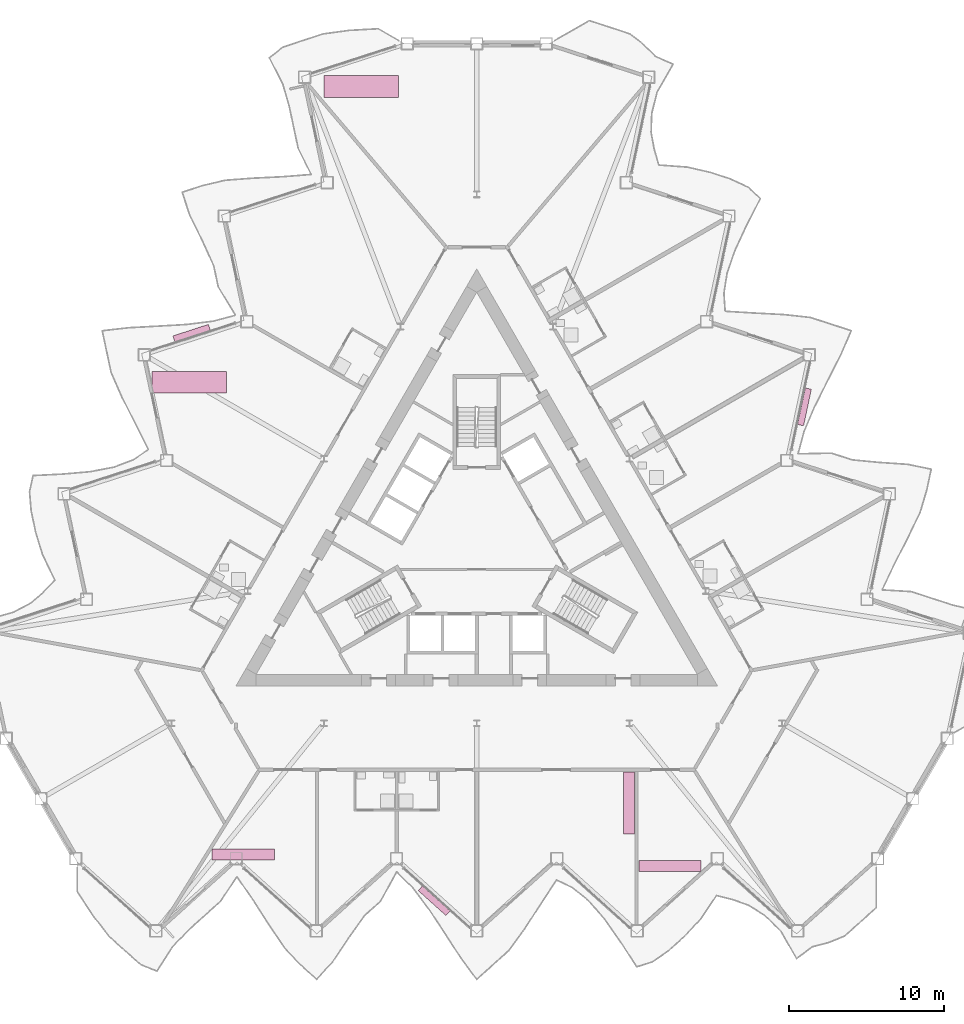
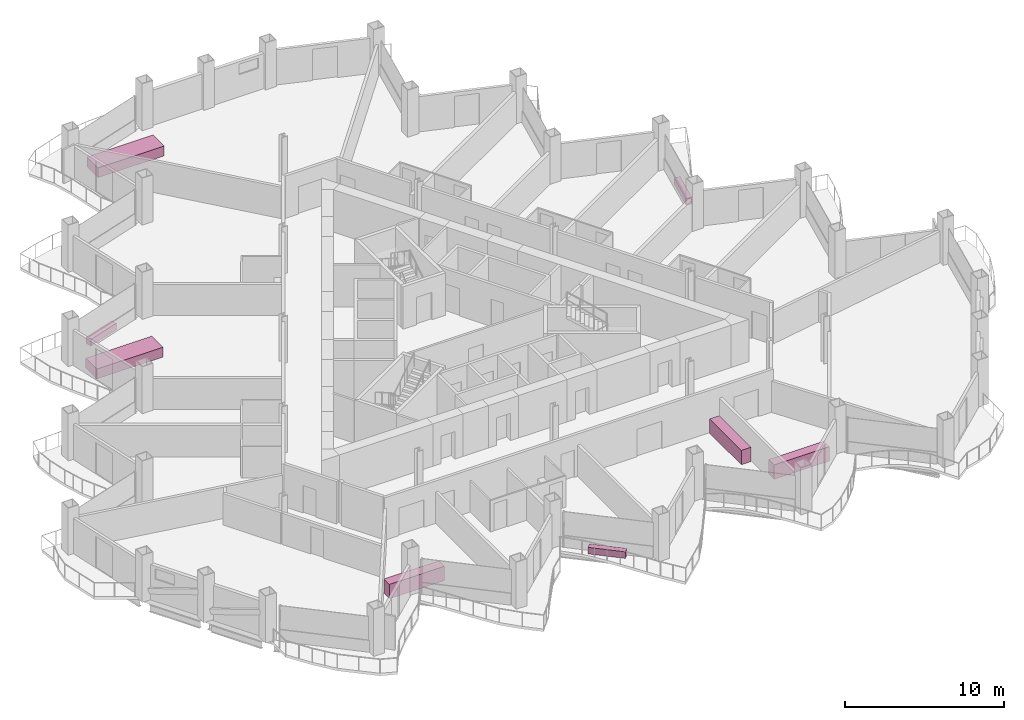
# One storey, part 24 of 24: 8 furniture elements.
"""IFC4 building model written with IfcOpenShell, lengths in metres."""

from ifc_helpers import new_model, si_unit, direction, frame, origin, origin_2d, place, context, subcontext, project, spatial, rectangle, extrude, material, type_object, element, save


model = new_model("IFC4")

# Units and contexts
model_context = context("Model", 3, precision=1e-05, world=origin(), true_north=direction((0.0, 1.0)))
body_context = subcontext(model_context, "Body", "Model", "MODEL_VIEW")
ifc_project = project(units=[si_unit("LENGTHUNIT", "METRE"), si_unit("AREAUNIT", "SQUARE_METRE"), si_unit("VOLUMEUNIT", "CUBIC_METRE"), si_unit("PLANEANGLEUNIT", "RADIAN"), si_unit("MASSUNIT", "GRAM", prefix="KILO")], contexts=[model_context])

# Site, building, storey
site_placement = place(None, origin())
site = spatial("IfcSite", under=ifc_project, at=site_placement, CompositionType="ELEMENT")
building_placement = place(site_placement, origin())
building = spatial("IfcBuilding", under=site, at=building_placement, Name="Cormorant Prow Tower", CompositionType="ELEMENT")
storey_placement = place(building_placement, frame((0.0, 0.0, 201.60009765625)))
storey = spatial("IfcBuildingStorey", under=building, at=storey_placement, Name="L44", CompositionType="ELEMENT", Elevation=201.60009765625)

# Furniture
ifc_material_1 = material(Name="Terracotta", Category="masonry")
furniture_type_1 = type_object("IfcFurnitureType", Name="Balcony planter 2400x400x500", AssemblyPlace="NOTDEFINED", PredefinedType="USERDEFINED", material=ifc_material_1)
for number, where, z_axis, x_axis, name in (
    (1, (-2.7412109375, -22.783447265625, 0.0), (0.0, 0.0, 1.0), (0.743144770308, -0.669130667631, 0.0), "Balcony planter S04"),
    (2, (21.101806640625, 9.017822265625, 0.0), (0.0, 0.0, 1.0), (0.20791180677, 0.978147576087, 0.0), "Balcony planter ENE04"),
    (3, (-18.3603515625, 13.765869140625, 0.0), (0.0, 0.0, 1.0), (-0.951056546379, -0.309016901785, 0.0), "Balcony planter WNW04"),
):
    element("IfcFurniture", number, at=place(storey_placement, frame(where, z_axis=z_axis, x_axis=x_axis)), inside=storey, type_object=furniture_type_1, Name=name, ObjectType="PLANTER", PredefinedType="USERDEFINED", context=body_context, shape_type="SweptSolid", body=[
        extrude(rectangle(XDim=2.39990234375, YDim=0.39990234375, at=origin_2d()), origin(), (0.0, 0.0, 1.0), 0.5),
    ])
ifc_material_2 = material(Name="Timber joinery", Category="wood")
furniture_type_2 = type_object("IfcFurnitureType", Name="Bar counter 4000x700", AssemblyPlace="NOTDEFINED", PredefinedType="NOTDEFINED", material=ifc_material_2)
for number, where, z_axis, x_axis, name in (
    (4, (-15.037841796875, -19.802001953125, -0.000244140625), (0.0, 0.0, 1.0), (1.0, 0.0, 0.0), "Bar counter"),
    (5, (9.801025390625, -16.493896484375, -0.000244140625), (0.0, 0.0, 1.0), (0.0, -1.0, 0.0), "Bar counter"),
    (6, (12.441162109375, -20.552001953125, -0.000244140625), (0.0, 0.0, 1.0), (1.0, 0.0, 0.0), "Bar counter"),
):
    element("IfcFurniture", number, at=place(storey_placement, frame(where, z_axis=z_axis, x_axis=x_axis)), inside=storey, type_object=furniture_type_2, Name=name, PredefinedType="NOTDEFINED", context=body_context, shape_type="SweptSolid", body=[
        extrude(rectangle(XDim=4.0, YDim=0.699951171875, at=origin_2d()), origin(), (0.0, 0.0, 1.0), 1.10009765625),
    ])
ifc_material_3 = material(Name="Timber joinery", Category="wood")
furniture_type_3 = type_object("IfcFurnitureType", Name="Conference table 4800x1400", AssemblyPlace="NOTDEFINED", PredefinedType="TABLE", material=ifc_material_3)
for number, where, z_axis, x_axis, name in (
    (7, (-7.434326171875, 29.642822265625, 0.0), (0.0, 0.0, 1.0), (1.0, 0.0, 0.0), "Conference table"),
    (8, (-18.5166015625, 10.595947265625, 0.0), (0.0, 0.0, 1.0), (1.0, 0.0, 0.0), "Conference table"),
):
    element("IfcFurniture", number, at=place(storey_placement, frame(where, z_axis=z_axis, x_axis=x_axis)), inside=storey, type_object=furniture_type_3, Name=name, PredefinedType="TABLE", context=body_context, shape_type="SweptSolid", body=[
        extrude(rectangle(XDim=4.800048828125, YDim=1.39990234375, at=origin_2d()), origin(), (0.0, 0.0, 1.0), 0.75),
    ])

save(model, "model.ifc")
